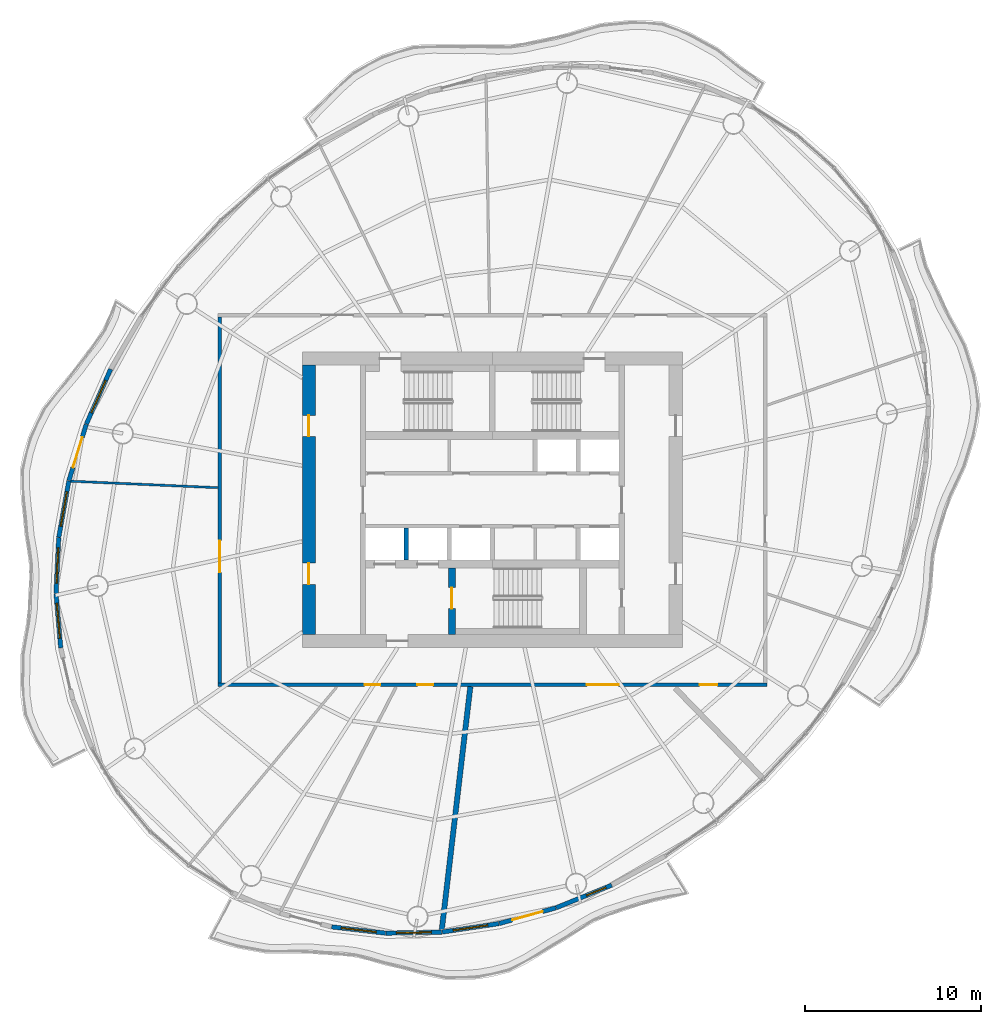
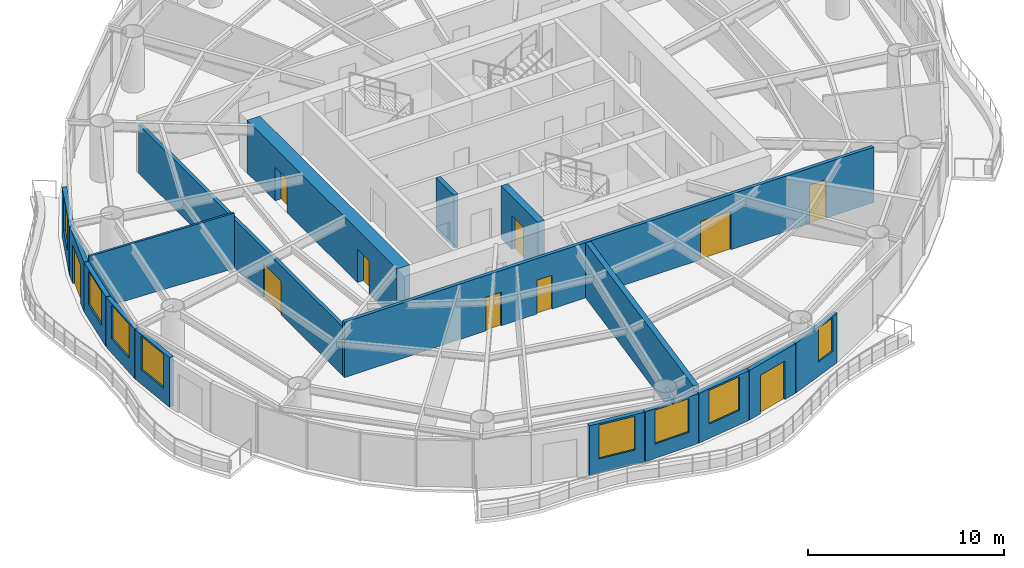
# One storey, part 8 of 14: 17 walls, 10 doors, 8 windows, 18 openings.
"""IFC4 building model written with IfcOpenShell, lengths in metres."""

from ifc_helpers import new_model, si_unit, direction, frame, frame_2d, origin, place, context, subcontext, project, spatial, rectangle, extrude, material, layer, layer_set, type_object, element, fill, save


model = new_model("IFC4")

# Units and contexts
model_context = context("Model", 3, precision=1e-05, world=origin(), true_north=direction((0.0, 1.0)))
body_context = subcontext(model_context, "Body", "Model", "MODEL_VIEW")
ifc_project = project(units=[si_unit("LENGTHUNIT", "METRE"), si_unit("AREAUNIT", "SQUARE_METRE"), si_unit("VOLUMEUNIT", "CUBIC_METRE"), si_unit("PLANEANGLEUNIT", "RADIAN"), si_unit("MASSUNIT", "GRAM", prefix="KILO")], contexts=[model_context])

# Site, building, storey
site_placement = place(None, origin())
site = spatial("IfcSite", under=ifc_project, at=site_placement, CompositionType="ELEMENT")
building_placement = place(site_placement, origin())
building = spatial("IfcBuilding", under=site, at=building_placement, Name="Vermilion Reach Broadcast Tower", CompositionType="ELEMENT")
storey_placement = place(building_placement, frame((0.0, 0.0, 210.10009765625)))
storey = spatial("IfcBuildingStorey", under=building, at=storey_placement, Name="L51", CompositionType="ELEMENT", Elevation=210.10009765625)

# Wall, opening, door
ifc_material_1 = material(Name="Concrete C60", Category="concrete")
ifc_layer_1 = layer(ifc_material_1, 0.39990234375)
ifc_layer_set_1 = layer_set([ifc_layer_1], Name="Core inner wall 400 mm Concrete C60")
wall_type_1 = type_object("IfcWallType", Name="Core inner wall 400 mm Concrete C60", PredefinedType="SHEAR", material=ifc_layer_set_1)
wall_1_placement = place(storey_placement, frame((-8.300048828125, -3.8798828125, 0.0), z_axis=(0.0, 0.0, 1.0), x_axis=(0.0, -1.0, 0.0)))
wall_1 = element("IfcWall", 1, at=wall_1_placement, inside=storey, type_object=wall_type_1, Name="L51 core wall wa", PredefinedType="SHEAR", context=body_context, shape_type="SweptSolid", body=[
    extrude(rectangle(XDim=3.77001953125, YDim=0.39990234375, at=frame_2d((1.885009765625, 0.0))), origin(), (0.0, 0.0, 1.0), 3.2998046875),
])
opening_1_placement = place(wall_1_placement, frame((1.110107421875, 0.0, 0.0)))
opening_1 = element("IfcOpeningElement", 2, at=opening_1_placement, cuts=wall_1, Name="Opening D01", PredefinedType="OPENING", context=body_context, shape_type="SweptSolid", body=[
    extrude(rectangle(XDim=1.199951171875, YDim=2.10009765625, at=frame_2d((0.60009765625, 1.050048828125))), frame((0.0, 0.2099609375, 0.0), z_axis=(0.0, -1.0, 0.0), x_axis=(1.0, 0.0, 0.0)), (0.0, 0.0, 1.0), 0.419921875),
])
ifc_material_2 = material(Name="Painted steel fire door", Category="steel")
door_type_1 = type_object("IfcDoorType", Name="Stair door 1200 x 2100", OperationType="DOUBLE_DOOR_SINGLE_SWING", PredefinedType="NOTDEFINED", material=ifc_material_2)
door_1_placement = place(opening_1_placement, origin())
door_1 = element("IfcDoor", 3, at=door_1_placement, inside=storey, type_object=door_type_1, Name="L51 stair door ST3", OperationType="DOUBLE_DOOR_SINGLE_SWING", OverallHeight=2.10009765625, OverallWidth=1.199951171875, PredefinedType="NOTDEFINED", context=body_context, shape_type="SweptSolid", body=[
    extrude(rectangle(XDim=1.199951171875, YDim=2.10009765625, at=frame_2d((0.60009765625, 1.050048828125))), frame((0.0, 0.02490234375, 0.0), z_axis=(0.0, -1.0, 0.0), x_axis=(1.0, 0.0, 0.0)), (0.0, 0.0, 1.0), 0.050048828125),
])
fill(opening_1, door_1)

# Wall, openings, doors
ifc_material_3 = material(Name="Concrete C60", Category="concrete")
ifc_layer_2 = layer(ifc_material_3, 0.75)
ifc_layer_set_2 = layer_set([ifc_layer_2], Name="Core outer wall 750 mm Concrete C60")
wall_type_2 = type_object("IfcWallType", Name="Core outer wall 750 mm Concrete C60", PredefinedType="SHEAR", material=ifc_layer_set_2)
wall_2_placement = place(storey_placement, frame((-16.425048828125, 7.64990234375, 0.0), z_axis=(0.0, 0.0, 1.0), x_axis=(0.0, -1.0, 0.0)))
wall_2 = element("IfcWall", 4, at=wall_2_placement, inside=storey, type_object=wall_type_2, Name="L51 core wall ow", PredefinedType="SHEAR", context=body_context, shape_type="SweptSolid", body=[
    extrude(rectangle(XDim=15.2998046875, YDim=0.75, at=frame_2d((7.64990234375, 0.0))), origin(), (0.0, 0.0, 1.0), 3.2998046875),
])
opening_2_placement = place(wall_2_placement, frame((11.25, 0.0, 0.0)))
opening_2 = element("IfcOpeningElement", 5, at=opening_2_placement, cuts=wall_2, Name="Opening D03", PredefinedType="OPENING", context=body_context, shape_type="SweptSolid", body=[
    extrude(rectangle(XDim=1.199951171875, YDim=2.10009765625, at=frame_2d((0.60009765625, 1.050048828125))), frame((0.0, 0.385009765625, 0.0), z_axis=(0.0, -1.0, 0.0), x_axis=(1.0, 0.0, 0.0)), (0.0, 0.0, 1.0), 0.77001953125),
])
opening_3_placement = place(wall_2_placement, frame((2.85009765625, 0.0, 0.0)))
opening_3 = element("IfcOpeningElement", 6, at=opening_3_placement, cuts=wall_2, Name="Opening D03", PredefinedType="OPENING", context=body_context, shape_type="SweptSolid", body=[
    extrude(rectangle(XDim=1.199951171875, YDim=2.10009765625, at=frame_2d((0.60009765625, 1.050048828125))), frame((0.0, 0.385009765625, 0.0), z_axis=(0.0, -1.0, 0.0), x_axis=(1.0, 0.0, 0.0)), (0.0, 0.0, 1.0), 0.77001953125),
])
ifc_material_4 = material(Name="Painted steel fire door", Category="steel")
door_type_2 = type_object("IfcDoorType", Name="Core lobby door 1200 x 2100", OperationType="DOUBLE_DOOR_SINGLE_SWING", PredefinedType="NOTDEFINED", material=ifc_material_4)
door_2_placement = place(opening_2_placement, origin())
door_2 = element("IfcDoor", 7, at=door_2_placement, inside=storey, type_object=door_type_2, Name="L51 slot door W0", OperationType="DOUBLE_DOOR_SINGLE_SWING", OverallHeight=2.10009765625, OverallWidth=1.199951171875, PredefinedType="NOTDEFINED", context=body_context, shape_type="SweptSolid", body=[
    extrude(rectangle(XDim=1.199951171875, YDim=2.10009765625, at=frame_2d((0.60009765625, 1.050048828125))), frame((0.0, 0.02490234375, 0.0), z_axis=(0.0, -1.0, 0.0), x_axis=(1.0, 0.0, 0.0)), (0.0, 0.0, 1.0), 0.050048828125),
])
fill(opening_2, door_2)
door_3_placement = place(opening_3_placement, origin())
door_3 = element("IfcDoor", 8, at=door_3_placement, inside=storey, type_object=door_type_2, Name="L51 slot door W1", OperationType="DOUBLE_DOOR_SINGLE_SWING", OverallHeight=2.10009765625, OverallWidth=1.199951171875, PredefinedType="NOTDEFINED", context=body_context, shape_type="SweptSolid", body=[
    extrude(rectangle(XDim=1.199951171875, YDim=2.10009765625, at=frame_2d((0.60009765625, 1.050048828125))), frame((0.0, 0.02490234375, 0.0), z_axis=(0.0, -1.0, 0.0), x_axis=(1.0, 0.0, 0.0)), (0.0, 0.0, 1.0), 0.050048828125),
])
fill(opening_3, door_3)

# Wall
ifc_material_5 = material(Name="Concrete C50", Category="concrete")
ifc_layer_3 = layer(ifc_material_5, 0.25)
ifc_layer_set_3 = layer_set([ifc_layer_3], Name="Core shaft wall 250 mm Concrete C50")
wall_type_3 = type_object("IfcWallType", Name="Core shaft wall 250 mm Concrete C50", PredefinedType="SHEAR", material=ifc_layer_set_3)
wall_3_placement = place(storey_placement, frame((-10.88330078125, -1.60009765625, 0.0), z_axis=(0.0, 0.0, 1.0), x_axis=(0.0, -1.0, 0.0)))
element("IfcWall", 9, at=wall_3_placement, inside=storey, type_object=wall_type_3, Name="L51 core wall psS0", PredefinedType="SHEAR", context=body_context, shape_type="SweptSolid", body=[
    extrude(rectangle(XDim=1.829833984375, YDim=0.25, at=frame_2d((0.9150390625, 0.0))), origin(), (0.0, 0.0, 1.0), 3.2998046875),
])

# Wall, openings, doors
ifc_material_6 = material(Name="Fire-rated gypsum board partition")
ifc_layer_4 = layer(ifc_material_6, 0.199951171875)
ifc_layer_set_4 = layer_set([ifc_layer_4], Name="Corridor wall 200 fire-rated")
wall_type_4 = type_object("IfcWallType", Name="Corridor wall 200 fire-rated", PredefinedType="PARTITIONING", material=ifc_layer_set_4)
wall_4_placement = place(storey_placement, frame((9.60009765625, -10.5, 0.0), z_axis=(0.0, 0.0, 1.0), x_axis=(-1.0, 0.0, 0.0)))
wall_4 = element("IfcWall", 10, at=wall_4_placement, inside=storey, type_object=wall_type_4, Name="Corridor wall 51.S", PredefinedType="PARTITIONING", context=body_context, shape_type="SweptSolid", body=[
    extrude(rectangle(XDim=31.2001953125, YDim=0.199951171875, at=frame_2d((15.60009765625, 0.0))), origin(), (0.0, 0.0, 1.0), 3.449951171875),
])
opening_4_placement = place(wall_4_placement, frame((21.959716796875, 0.0, 0.0)))
opening_4 = element("IfcOpeningElement", 11, at=opening_4_placement, cuts=wall_4, Name="Opening D22", PredefinedType="OPENING", context=body_context, shape_type="SweptSolid", body=[
    extrude(rectangle(XDim=0.89990234375, YDim=2.10009765625, at=frame_2d((0.449951171875, 1.050048828125))), frame((0.0, 0.10986328125, 0.0), z_axis=(0.0, -1.0, 0.0), x_axis=(1.0, 0.0, 0.0)), (0.0, 0.0, 1.0), 0.219970703125),
])
opening_5_placement = place(wall_4_placement, frame((18.96044921875, 0.0, 0.0)))
opening_5 = element("IfcOpeningElement", 12, at=opening_5_placement, cuts=wall_4, Name="Opening D22", PredefinedType="OPENING", context=body_context, shape_type="SweptSolid", body=[
    extrude(rectangle(XDim=0.89990234375, YDim=2.10009765625, at=frame_2d((0.449951171875, 1.050048828125))), frame((0.0, 0.10986328125, 0.0), z_axis=(0.0, -1.0, 0.0), x_axis=(1.0, 0.0, 0.0)), (0.0, 0.0, 1.0), 0.219970703125),
])
opening_6_placement = place(wall_4_placement, frame((8.427978515625, 0.0, 0.0)))
opening_6 = element("IfcOpeningElement", 13, at=opening_6_placement, cuts=wall_4, Name="Opening D27", PredefinedType="OPENING", context=body_context, shape_type="SweptSolid", body=[
    extrude(rectangle(XDim=1.800048828125, YDim=2.39990234375, at=frame_2d((0.89990234375, 1.199951171875))), frame((0.0, 0.10986328125, 0.0), z_axis=(0.0, -1.0, 0.0), x_axis=(1.0, 0.0, 0.0)), (0.0, 0.0, 1.0), 0.219970703125),
])
opening_7_placement = place(wall_4_placement, frame((2.814453125, 0.0, 0.0)))
opening_7 = element("IfcOpeningElement", 14, at=opening_7_placement, cuts=wall_4, Name="Opening D23", PredefinedType="OPENING", context=body_context, shape_type="SweptSolid", body=[
    extrude(rectangle(XDim=1.0, YDim=2.39990234375, at=frame_2d((0.5, 1.199951171875))), frame((0.0, 0.10986328125, 0.0), z_axis=(0.0, -1.0, 0.0), x_axis=(1.0, 0.0, 0.0)), (0.0, 0.0, 1.0), 0.219970703125),
])
ifc_material_7 = material(Name="Acoustic timber door leaf", Category="wood")
door_type_3 = type_object("IfcDoorType", Name="Door pair 1800x2400", OperationType="NOTDEFINED", PredefinedType="DOOR", material=ifc_material_7)
door_4_placement = place(opening_6_placement, origin())
door_4 = element("IfcDoor", 15, at=door_4_placement, inside=storey, type_object=door_type_3, Name="Door 51.07", OperationType="DOUBLE_DOOR_SINGLE_SWING", OverallHeight=2.39990234375, OverallWidth=1.800048828125, PredefinedType="DOOR", context=body_context, shape_type="SweptSolid", body=[
    extrude(rectangle(XDim=1.800048828125, YDim=2.39990234375, at=frame_2d((0.89990234375, 1.199951171875))), frame((0.0, 0.02490234375, 0.0), z_axis=(0.0, -1.0, 0.0), x_axis=(1.0, 0.0, 0.0)), (0.0, 0.0, 1.0), 0.050048828125),
])
fill(opening_6, door_4)
ifc_material_8 = material(Name="Veneered timber door leaf", Category="wood")
door_type_4 = type_object("IfcDoorType", Name="Door single 1000x2400", OperationType="NOTDEFINED", PredefinedType="DOOR", material=ifc_material_8)
door_5_placement = place(opening_7_placement, origin())
door_5 = element("IfcDoor", 16, at=door_5_placement, inside=storey, type_object=door_type_4, Name="Door 51.08", OperationType="SINGLE_SWING_RIGHT", OverallHeight=2.39990234375, OverallWidth=1.0, PredefinedType="DOOR", context=body_context, shape_type="SweptSolid", body=[
    extrude(rectangle(XDim=1.0, YDim=2.39990234375, at=frame_2d((0.5, 1.199951171875))), frame((0.0, 0.02490234375, 0.0), z_axis=(0.0, -1.0, 0.0), x_axis=(1.0, 0.0, 0.0)), (0.0, 0.0, 1.0), 0.050048828125),
])
fill(opening_7, door_5)
ifc_material_9 = material(Name="Timber door leaf", Category="wood")
door_type_5 = type_object("IfcDoorType", Name="Door single 900x2100", OperationType="NOTDEFINED", PredefinedType="DOOR", material=ifc_material_9)
door_6_placement = place(opening_4_placement, origin())
door_6 = element("IfcDoor", 17, at=door_6_placement, inside=storey, type_object=door_type_5, Name="Door 51.05", OperationType="SINGLE_SWING_LEFT", OverallHeight=2.10009765625, OverallWidth=0.89990234375, PredefinedType="DOOR", context=body_context, shape_type="SweptSolid", body=[
    extrude(rectangle(XDim=0.89990234375, YDim=2.10009765625, at=frame_2d((0.449951171875, 1.050048828125))), frame((0.0, 0.02490234375, 0.0), z_axis=(0.0, -1.0, 0.0), x_axis=(1.0, 0.0, 0.0)), (0.0, 0.0, 1.0), 0.050048828125),
])
fill(opening_4, door_6)
door_7_placement = place(opening_5_placement, origin())
door_7 = element("IfcDoor", 18, at=door_7_placement, inside=storey, type_object=door_type_5, Name="Door 51.06", OperationType="SINGLE_SWING_RIGHT", OverallHeight=2.10009765625, OverallWidth=0.89990234375, PredefinedType="DOOR", context=body_context, shape_type="SweptSolid", body=[
    extrude(rectangle(XDim=0.89990234375, YDim=2.10009765625, at=frame_2d((0.449951171875, 1.050048828125))), frame((0.0, 0.02490234375, 0.0), z_axis=(0.0, -1.0, 0.0), x_axis=(1.0, 0.0, 0.0)), (0.0, 0.0, 1.0), 0.050048828125),
])
fill(opening_5, door_7)

# Walls
ifc_material_10 = material(Name="Fire-rated plasterboard on steel stud", Category="steel")
ifc_layer_5 = layer(ifc_material_10, 0.125)
ifc_layer_set_5 = layer_set([ifc_layer_5], Name="Partition 125 fire-rated stud")
wall_type_5 = type_object("IfcWallType", Name="Partition 125 fire-rated stud", PredefinedType="PARTITIONING", material=ifc_layer_set_5)
wall_5_placement = place(storey_placement, frame((-29.941162109375, 1.05712890625, 0.0), z_axis=(0.0, 0.0, 1.0), x_axis=(0.999026681185, -0.044109979365, 0.0)))
element("IfcWall", 19, at=wall_5_placement, inside=storey, type_object=wall_type_5, Name="Partition 51.04", PredefinedType="PARTITIONING", context=body_context, shape_type="SweptSolid", body=[
    extrude(rectangle(XDim=8.346435546875, YDim=0.125, at=frame_2d((4.17333984375, 0.0))), origin(), (0.0, 0.0, 1.0), 3.449951171875),
])
ifc_material_11 = material(Name="Double-leaf plasterboard on isolated steel stud", Category="steel")
ifc_layer_6 = layer(ifc_material_11, 0.300048828125)
ifc_layer_set_6 = layer_set([ifc_layer_6], Name="Partition 300 acoustic double leaf")
wall_type_6 = type_object("IfcWallType", Name="Partition 300 acoustic double leaf", PredefinedType="PARTITIONING", material=ifc_layer_set_6)
wall_6_placement = place(storey_placement, frame((-8.8720703125, -24.441650390625, 0.0), z_axis=(0.0, 0.0, 1.0), x_axis=(0.116708950742, 0.993166159722, 0.0)))
element("IfcWall", 20, at=wall_6_placement, inside=storey, type_object=wall_type_6, Name="Partition 51.07", PredefinedType="PARTITIONING", context=body_context, shape_type="SweptSolid", body=[
    extrude(rectangle(XDim=13.91943359375, YDim=0.300048828125, at=frame_2d((6.959716796875, 0.0))), origin(), (0.0, 0.0, 1.0), 3.449951171875),
])

# Wall, opening, window
ifc_material_12 = material(Name="Terracotta rainscreen cladding", Category="masonry")
ifc_layer_7 = layer(ifc_material_12, 0.25)
ifc_layer_set_7 = layer_set([ifc_layer_7], Name="Terracotta rainscreen wall 250")
wall_type_7 = type_object("IfcWallType", Name="Terracotta rainscreen wall 250", PredefinedType="SOLIDWALL", material=ifc_layer_set_7)
wall_7_placement = place(storey_placement, frame((-27.69140625, 7.423095703125, 0.0), z_axis=(0.0, 0.0, 1.0), x_axis=(-0.404116447322, -0.914707547254, 0.0)))
wall_7 = element("IfcWall", 21, at=wall_7_placement, inside=storey, type_object=wall_type_7, Name="External wall L51 15", PredefinedType="SOLIDWALL", context=body_context, shape_type="SweptSolid", body=[
    extrude(rectangle(XDim=3.4072265625, YDim=0.25, at=frame_2d((1.70361328125, 0.0))), origin(), (0.0, 0.0, 1.0), 3.099853515625),
])
opening_8_placement = place(wall_7_placement, frame((0.70361328125, 0.0, 0.89990234375)))
opening_8 = element("IfcOpeningElement", 22, at=opening_8_placement, cuts=wall_7, Name="Opening W03", PredefinedType="OPENING", context=body_context, shape_type="SweptSolid", body=[
    extrude(rectangle(XDim=2.0, YDim=2.10009765625, at=frame_2d((1.0, 1.050048828125))), frame((0.0, 0.135009765625, 0.0), z_axis=(0.0, -1.0, 0.0), x_axis=(1.0, 0.0, 0.0)), (0.0, 0.0, 1.0), 0.27001953125),
])
ifc_material_13 = material(Name="Low-e laminated clear glass in aluminium frame", Category="aluminium")
window_type_1 = type_object("IfcWindowType", Name="Punched window 2000 x 2100 sill 900", PartitioningType="SINGLE_PANEL", PredefinedType="WINDOW", material=ifc_material_13)
window_1_placement = place(opening_8_placement, origin())
window_1 = element("IfcWindow", 23, at=window_1_placement, inside=storey, type_object=window_type_1, Name="Window L51 15", OverallHeight=2.10009765625, OverallWidth=2.0, PartitioningType="SINGLE_PANEL", PredefinedType="WINDOW", context=body_context, shape_type="SweptSolid", body=[
    extrude(rectangle(XDim=2.0, YDim=2.10009765625, at=frame_2d((1.0, 1.050048828125))), frame((0.0, 0.030029296875, 0.0), z_axis=(0.0, -1.0, 0.0), x_axis=(1.0, 0.0, 0.0)), (0.0, 0.0, 1.0), 0.06005859375),
])
fill(opening_8, window_1)

# Wall, opening, door
wall_8_placement = place(storey_placement, frame((-29.076171875, 4.285400390625, 0.0), z_axis=(0.0, 0.0, 1.0), x_axis=(-0.294651514305, -0.955604774537, 0.0)))
wall_8 = element("IfcWall", 24, at=wall_8_placement, inside=storey, type_object=wall_type_7, Name="External wall L51 16", PredefinedType="SOLIDWALL", context=body_context, shape_type="SweptSolid", body=[
    extrude(rectangle(XDim=3.3359375, YDim=0.25, at=frame_2d((1.66796875, 0.0))), origin(), (0.0, 0.0, 1.0), 3.099853515625),
])
opening_9_placement = place(wall_8_placement, frame((0.76806640625, 0.0, 0.0)))
opening_9 = element("IfcOpeningElement", 25, at=opening_9_placement, cuts=wall_8, Name="Opening D70", PredefinedType="OPENING", context=body_context, shape_type="SweptSolid", body=[
    extrude(rectangle(XDim=1.800048828125, YDim=2.39990234375, at=frame_2d((0.89990234375, 1.199951171875))), frame((0.0, 0.135009765625, 0.0), z_axis=(0.0, -1.0, 0.0), x_axis=(1.0, 0.0, 0.0)), (0.0, 0.0, 1.0), 0.27001953125),
])
ifc_material_14 = material(Name="Low-e laminated clear glass in aluminium frame", Category="aluminium")
door_type_6 = type_object("IfcDoorType", Name="Balcony sliding door 1800 x 2400", OperationType="DOUBLE_DOOR_SLIDING", PredefinedType="DOOR", material=ifc_material_14)
door_8_placement = place(opening_9_placement, origin())
door_8 = element("IfcDoor", 26, at=door_8_placement, inside=storey, type_object=door_type_6, Name="Balcony door L51 run 04", OperationType="DOUBLE_DOOR_SLIDING", OverallHeight=2.39990234375, OverallWidth=1.800048828125, PredefinedType="DOOR", context=body_context, shape_type="SweptSolid", body=[
    extrude(rectangle(XDim=1.800048828125, YDim=2.39990234375, at=frame_2d((0.89990234375, 1.199951171875))), frame((0.0, 0.02490234375, 0.0), z_axis=(0.0, -1.0, 0.0), x_axis=(1.0, 0.0, 0.0)), (0.0, 0.0, 1.0), 0.050048828125),
])
fill(opening_9, door_8)

# Wall, opening, window
wall_9_placement = place(storey_placement, frame((-30.064697265625, 1.0751953125, 0.0), z_axis=(0.0, 0.0, 1.0), x_axis=(-0.176006154206, -0.984389066214, 0.0)))
wall_9 = element("IfcWall", 27, at=wall_9_placement, inside=storey, type_object=wall_type_7, Name="External wall L51 17", PredefinedType="SOLIDWALL", context=body_context, shape_type="SweptSolid", body=[
    extrude(rectangle(XDim=3.254150390625, YDim=0.25, at=frame_2d((1.626953125, 0.0))), origin(), (0.0, 0.0, 1.0), 3.099853515625),
])
opening_10_placement = place(wall_9_placement, frame((0.626953125, 0.0, 0.89990234375)))
opening_10 = element("IfcOpeningElement", 28, at=opening_10_placement, cuts=wall_9, Name="Opening W03", PredefinedType="OPENING", context=body_context, shape_type="SweptSolid", body=[
    extrude(rectangle(XDim=2.0, YDim=2.10009765625, at=frame_2d((1.0, 1.050048828125))), frame((0.0, 0.135009765625, 0.0), z_axis=(0.0, -1.0, 0.0), x_axis=(1.0, 0.0, 0.0)), (0.0, 0.0, 1.0), 0.27001953125),
])
window_2_placement = place(opening_10_placement, origin())
window_2 = element("IfcWindow", 29, at=window_2_placement, inside=storey, type_object=window_type_1, Name="Window L51 17", OverallHeight=2.10009765625, OverallWidth=2.0, PartitioningType="SINGLE_PANEL", PredefinedType="WINDOW", context=body_context, shape_type="SweptSolid", body=[
    extrude(rectangle(XDim=2.0, YDim=2.10009765625, at=frame_2d((1.0, 1.050048828125))), frame((0.0, 0.030029296875, 0.0), z_axis=(0.0, -1.0, 0.0), x_axis=(1.0, 0.0, 0.0)), (0.0, 0.0, 1.0), 0.06005859375),
])
fill(opening_10, window_2)

wall_10_placement = place(storey_placement, frame((-30.64013671875, -2.152099609375, 0.0), z_axis=(0.0, 0.0, 1.0), x_axis=(-0.048561254051, -0.998820206346, 0.0)))
wall_10 = element("IfcWall", 30, at=wall_10_placement, inside=storey, type_object=wall_type_7, Name="External wall L51 18", PredefinedType="SOLIDWALL", context=body_context, shape_type="SweptSolid", body=[
    extrude(rectangle(XDim=3.167236328125, YDim=0.25, at=frame_2d((1.58349609375, 0.0))), origin(), (0.0, 0.0, 1.0), 3.099853515625),
])
opening_11_placement = place(wall_10_placement, frame((0.583740234375, 0.0, 0.89990234375)))
opening_11 = element("IfcOpeningElement", 31, at=opening_11_placement, cuts=wall_10, Name="Opening W03", PredefinedType="OPENING", context=body_context, shape_type="SweptSolid", body=[
    extrude(rectangle(XDim=2.0, YDim=2.10009765625, at=frame_2d((1.0, 1.050048828125))), frame((0.0, 0.135009765625, 0.0), z_axis=(0.0, -1.0, 0.0), x_axis=(1.0, 0.0, 0.0)), (0.0, 0.0, 1.0), 0.27001953125),
])
window_3_placement = place(opening_11_placement, origin())
window_3 = element("IfcWindow", 32, at=window_3_placement, inside=storey, type_object=window_type_1, Name="Window L51 18", OverallHeight=2.10009765625, OverallWidth=2.0, PartitioningType="SINGLE_PANEL", PredefinedType="WINDOW", context=body_context, shape_type="SweptSolid", body=[
    extrude(rectangle(XDim=2.0, YDim=2.10009765625, at=frame_2d((1.0, 1.050048828125))), frame((0.0, 0.030029296875, 0.0), z_axis=(0.0, -1.0, 0.0), x_axis=(1.0, 0.0, 0.0)), (0.0, 0.0, 1.0), 0.06005859375),
])
fill(opening_11, window_3)

wall_11_placement = place(storey_placement, frame((-30.79345703125, -5.340576171875, 0.0), z_axis=(0.0, 0.0, 1.0), x_axis=(0.086527038648, -0.996249502676, 0.0)))
wall_11 = element("IfcWall", 33, at=wall_11_placement, inside=storey, type_object=wall_type_7, Name="External wall L51 19", PredefinedType="SOLIDWALL", context=body_context, shape_type="SweptSolid", body=[
    extrude(rectangle(XDim=3.0810546875, YDim=0.25, at=frame_2d((1.54052734375, 0.0))), origin(), (0.0, 0.0, 1.0), 3.099853515625),
])
opening_12_placement = place(wall_11_placement, frame((0.54052734375, 0.0, 0.89990234375)))
opening_12 = element("IfcOpeningElement", 34, at=opening_12_placement, cuts=wall_11, Name="Opening W03", PredefinedType="OPENING", context=body_context, shape_type="SweptSolid", body=[
    extrude(rectangle(XDim=2.0, YDim=2.10009765625, at=frame_2d((1.0, 1.050048828125))), frame((0.0, 0.135009765625, 0.0), z_axis=(0.0, -1.0, 0.0), x_axis=(1.0, 0.0, 0.0)), (0.0, 0.0, 1.0), 0.27001953125),
])
window_4_placement = place(opening_12_placement, origin())
window_4 = element("IfcWindow", 35, at=window_4_placement, inside=storey, type_object=window_type_1, Name="Window L51 19", OverallHeight=2.10009765625, OverallWidth=2.0, PartitioningType="SINGLE_PANEL", PredefinedType="WINDOW", context=body_context, shape_type="SweptSolid", body=[
    extrude(rectangle(XDim=2.0, YDim=2.10009765625, at=frame_2d((1.0, 1.050048828125))), frame((0.0, 0.030029296875, 0.0), z_axis=(0.0, -1.0, 0.0), x_axis=(1.0, 0.0, 0.0)), (0.0, 0.0, 1.0), 0.06005859375),
])
fill(opening_12, window_4)

wall_12_placement = place(storey_placement, frame((-15.12548828125, -24.269775390625, 0.0), z_axis=(0.0, 0.0, 1.0), x_axis=(0.993285162652, -0.115691770042, 0.0)))
wall_12 = element("IfcWall", 36, at=wall_12_placement, inside=storey, type_object=wall_type_7, Name="External wall L51 28", PredefinedType="SOLIDWALL", context=body_context, shape_type="SweptSolid", body=[
    extrude(rectangle(XDim=3.0810546875, YDim=0.25, at=frame_2d((1.54052734375, 0.0))), origin(), (0.0, 0.0, 1.0), 3.099853515625),
])
opening_13_placement = place(wall_12_placement, frame((0.54052734375, 0.0, 0.89990234375)))
opening_13 = element("IfcOpeningElement", 37, at=opening_13_placement, cuts=wall_12, Name="Opening W03", PredefinedType="OPENING", context=body_context, shape_type="SweptSolid", body=[
    extrude(rectangle(XDim=2.0, YDim=2.10009765625, at=frame_2d((1.0, 1.050048828125))), frame((0.0, 0.135009765625, 0.0), z_axis=(0.0, -1.0, 0.0), x_axis=(1.0, 0.0, 0.0)), (0.0, 0.0, 1.0), 0.27001953125),
])
window_5_placement = place(opening_13_placement, origin())
window_5 = element("IfcWindow", 38, at=window_5_placement, inside=storey, type_object=window_type_1, Name="Window L51 28", OverallHeight=2.10009765625, OverallWidth=2.0, PartitioningType="SINGLE_PANEL", PredefinedType="WINDOW", context=body_context, shape_type="SweptSolid", body=[
    extrude(rectangle(XDim=2.0, YDim=2.10009765625, at=frame_2d((1.0, 1.050048828125))), frame((0.0, 0.030029296875, 0.0), z_axis=(0.0, -1.0, 0.0), x_axis=(1.0, 0.0, 0.0)), (0.0, 0.0, 1.0), 0.06005859375),
])
fill(opening_13, window_5)

wall_13_placement = place(storey_placement, frame((-12.040283203125, -24.62744140625, 0.0), z_axis=(0.0, 0.0, 1.0), x_axis=(0.999814312732, 0.019270185659, 0.0)))
wall_13 = element("IfcWall", 39, at=wall_13_placement, inside=storey, type_object=wall_type_7, Name="External wall L51 29", PredefinedType="SOLIDWALL", context=body_context, shape_type="SweptSolid", body=[
    extrude(rectangle(XDim=3.167236328125, YDim=0.25, at=frame_2d((1.58349609375, 0.0))), origin(), (0.0, 0.0, 1.0), 3.099853515625),
])
opening_14_placement = place(wall_13_placement, frame((0.583740234375, 0.0, 0.89990234375)))
opening_14 = element("IfcOpeningElement", 40, at=opening_14_placement, cuts=wall_13, Name="Opening W03", PredefinedType="OPENING", context=body_context, shape_type="SweptSolid", body=[
    extrude(rectangle(XDim=2.0, YDim=2.10009765625, at=frame_2d((1.0, 1.050048828125))), frame((0.0, 0.135009765625, 0.0), z_axis=(0.0, -1.0, 0.0), x_axis=(1.0, 0.0, 0.0)), (0.0, 0.0, 1.0), 0.27001953125),
])
window_6_placement = place(opening_14_placement, origin())
window_6 = element("IfcWindow", 41, at=window_6_placement, inside=storey, type_object=window_type_1, Name="Window L51 29", OverallHeight=2.10009765625, OverallWidth=2.0, PartitioningType="SINGLE_PANEL", PredefinedType="WINDOW", context=body_context, shape_type="SweptSolid", body=[
    extrude(rectangle(XDim=2.0, YDim=2.10009765625, at=frame_2d((1.0, 1.050048828125))), frame((0.0, 0.030029296875, 0.0), z_axis=(0.0, -1.0, 0.0), x_axis=(1.0, 0.0, 0.0)), (0.0, 0.0, 1.0), 0.06005859375),
])
fill(opening_14, window_6)

wall_14_placement = place(storey_placement, frame((-8.849609375, -24.564453125, 0.0), z_axis=(0.0, 0.0, 1.0), x_axis=(0.989129217208, 0.147048943092, 0.0)))
wall_14 = element("IfcWall", 42, at=wall_14_placement, inside=storey, type_object=wall_type_7, Name="External wall L51 30", PredefinedType="SOLIDWALL", context=body_context, shape_type="SweptSolid", body=[
    extrude(rectangle(XDim=3.254150390625, YDim=0.25, at=frame_2d((1.626953125, 0.0))), origin(), (0.0, 0.0, 1.0), 3.099853515625),
])
opening_15_placement = place(wall_14_placement, frame((0.626953125, 0.0, 0.89990234375)))
opening_15 = element("IfcOpeningElement", 43, at=opening_15_placement, cuts=wall_14, Name="Opening W03", PredefinedType="OPENING", context=body_context, shape_type="SweptSolid", body=[
    extrude(rectangle(XDim=2.0, YDim=2.10009765625, at=frame_2d((1.0, 1.050048828125))), frame((0.0, 0.135009765625, 0.0), z_axis=(0.0, -1.0, 0.0), x_axis=(1.0, 0.0, 0.0)), (0.0, 0.0, 1.0), 0.27001953125),
])
window_7_placement = place(opening_15_placement, origin())
window_7 = element("IfcWindow", 44, at=window_7_placement, inside=storey, type_object=window_type_1, Name="Window L51 30", OverallHeight=2.10009765625, OverallWidth=2.0, PartitioningType="SINGLE_PANEL", PredefinedType="WINDOW", context=body_context, shape_type="SweptSolid", body=[
    extrude(rectangle(XDim=2.0, YDim=2.10009765625, at=frame_2d((1.0, 1.050048828125))), frame((0.0, 0.030029296875, 0.0), z_axis=(0.0, -1.0, 0.0), x_axis=(1.0, 0.0, 0.0)), (0.0, 0.0, 1.0), 0.06005859375),
])
fill(opening_15, window_7)

# Wall, opening, door
wall_15_placement = place(storey_placement, frame((-5.608154296875, -24.0810546875, 0.0), z_axis=(0.0, 0.0, 1.0), x_axis=(0.963820322112, 0.266552784048, 0.0)))
wall_15 = element("IfcWall", 45, at=wall_15_placement, inside=storey, type_object=wall_type_7, Name="External wall L51 31", PredefinedType="SOLIDWALL", context=body_context, shape_type="SweptSolid", body=[
    extrude(rectangle(XDim=3.335693359375, YDim=0.25, at=frame_2d((1.66796875, 0.0))), origin(), (0.0, 0.0, 1.0), 3.099853515625),
])
opening_16_placement = place(wall_15_placement, frame((0.76806640625, 0.0, 0.0)))
opening_16 = element("IfcOpeningElement", 46, at=opening_16_placement, cuts=wall_15, Name="Opening D70", PredefinedType="OPENING", context=body_context, shape_type="SweptSolid", body=[
    extrude(rectangle(XDim=1.800048828125, YDim=2.39990234375, at=frame_2d((0.89990234375, 1.199951171875))), frame((0.0, 0.135009765625, 0.0), z_axis=(0.0, -1.0, 0.0), x_axis=(1.0, 0.0, 0.0)), (0.0, 0.0, 1.0), 0.27001953125),
])
door_9_placement = place(opening_16_placement, origin())
door_9 = element("IfcDoor", 47, at=door_9_placement, inside=storey, type_object=door_type_6, Name="Balcony door L51 run 08", OperationType="DOUBLE_DOOR_SLIDING", OverallHeight=2.39990234375, OverallWidth=1.800048828125, PredefinedType="DOOR", context=body_context, shape_type="SweptSolid", body=[
    extrude(rectangle(XDim=1.800048828125, YDim=2.39990234375, at=frame_2d((0.89990234375, 1.199951171875))), frame((0.0, 0.02490234375, 0.0), z_axis=(0.0, -1.0, 0.0), x_axis=(1.0, 0.0, 0.0)), (0.0, 0.0, 1.0), 0.050048828125),
])
fill(opening_16, door_9)

# Wall, opening, window
wall_16_placement = place(storey_placement, frame((-2.37158203125, -23.1845703125, 0.0), z_axis=(0.0, 0.0, 1.0), x_axis=(0.926160966141, 0.377128446019, 0.0)))
wall_16 = element("IfcWall", 48, at=wall_16_placement, inside=storey, type_object=wall_type_7, Name="External wall L51 32", PredefinedType="SOLIDWALL", context=body_context, shape_type="SweptSolid", body=[
    extrude(rectangle(XDim=3.406982421875, YDim=0.25, at=frame_2d((1.70361328125, 0.0))), origin(), (0.0, 0.0, 1.0), 3.099853515625),
])
opening_17_placement = place(wall_16_placement, frame((1.85400390625, 0.0, 0.89990234375)))
opening_17 = element("IfcOpeningElement", 49, at=opening_17_placement, cuts=wall_16, Name="Opening W05", PredefinedType="OPENING", context=body_context, shape_type="SweptSolid", body=[
    extrude(rectangle(XDim=1.199951171875, YDim=2.10009765625, at=frame_2d((0.60009765625, 1.050048828125))), frame((0.0, 0.135009765625, 0.0), z_axis=(0.0, -1.0, 0.0), x_axis=(1.0, 0.0, 0.0)), (0.0, 0.0, 1.0), 0.27001953125),
])
ifc_material_15 = material(Name="Low-e laminated clear glass in aluminium frame", Category="aluminium")
window_type_2 = type_object("IfcWindowType", Name="Punched window 1200 x 2100 sill 900", PartitioningType="SINGLE_PANEL", PredefinedType="WINDOW", material=ifc_material_15)
window_8_placement = place(opening_17_placement, origin())
window_8 = element("IfcWindow", 50, at=window_8_placement, inside=storey, type_object=window_type_2, Name="Window L51 32", OverallHeight=2.10009765625, OverallWidth=1.199951171875, PartitioningType="SINGLE_PANEL", PredefinedType="WINDOW", context=body_context, shape_type="SweptSolid", body=[
    extrude(rectangle(XDim=1.199951171875, YDim=2.10009765625, at=frame_2d((0.60009765625, 1.050048828125))), frame((0.0, 0.030029296875, 0.0), z_axis=(0.0, -1.0, 0.0), x_axis=(1.0, 0.0, 0.0)), (0.0, 0.0, 1.0), 0.06005859375),
])
fill(opening_17, window_8)

# Wall, opening, door
ifc_material_16 = material(Name="Fire-rated gypsum board partition")
ifc_layer_8 = layer(ifc_material_16, 0.199951171875)
ifc_layer_set_8 = layer_set([ifc_layer_8], Name="Under girder: Corridor wall 200 fire-rated")
wall_type_8 = type_object("IfcWallType", Name="Under girder: Corridor wall 200 fire-rated", PredefinedType="PARTITIONING", material=ifc_layer_set_8)
wall_17_placement = place(storey_placement, frame((-21.5, -10.39990234375, 0.0), z_axis=(0.0, 0.0, 1.0), x_axis=(0.0, 1.0, 0.0)))
wall_17 = element("IfcWall", 51, at=wall_17_placement, inside=storey, type_object=wall_type_8, Name="Corridor wall 51.W", PredefinedType="PARTITIONING", context=body_context, shape_type="SweptSolid", body=[
    extrude(rectangle(XDim=20.7998046875, YDim=0.199951171875, at=frame_2d((10.39990234375, 0.0))), origin(), (0.0, 0.0, 1.0), 3.0498046875),
])
opening_18_placement = place(wall_17_placement, frame((6.277099609375, 0.0, 0.0)))
opening_18 = element("IfcOpeningElement", 52, at=opening_18_placement, cuts=wall_17, Name="Opening D21", PredefinedType="OPENING", context=body_context, shape_type="SweptSolid", body=[
    extrude(rectangle(XDim=1.800048828125, YDim=2.10009765625, at=frame_2d((0.89990234375, 1.050048828125))), frame((0.0, 0.10986328125, 0.0), z_axis=(0.0, -1.0, 0.0), x_axis=(1.0, 0.0, 0.0)), (0.0, 0.0, 1.0), 0.219970703125),
])
ifc_material_17 = material(Name="Timber door leaf", Category="wood")
door_type_7 = type_object("IfcDoorType", Name="Door pair 1800x2100", OperationType="NOTDEFINED", PredefinedType="DOOR", material=ifc_material_17)
door_10_placement = place(opening_18_placement, origin())
door_10 = element("IfcDoor", 53, at=door_10_placement, inside=storey, type_object=door_type_7, Name="Door 51.04", OperationType="DOUBLE_DOOR_SINGLE_SWING", OverallHeight=2.10009765625, OverallWidth=1.800048828125, PredefinedType="DOOR", context=body_context, shape_type="SweptSolid", body=[
    extrude(rectangle(XDim=1.800048828125, YDim=2.10009765625, at=frame_2d((0.89990234375, 1.050048828125))), frame((0.0, 0.02490234375, 0.0), z_axis=(0.0, -1.0, 0.0), x_axis=(1.0, 0.0, 0.0)), (0.0, 0.0, 1.0), 0.050048828125),
])
fill(opening_18, door_10)

save(model, "model.ifc")
